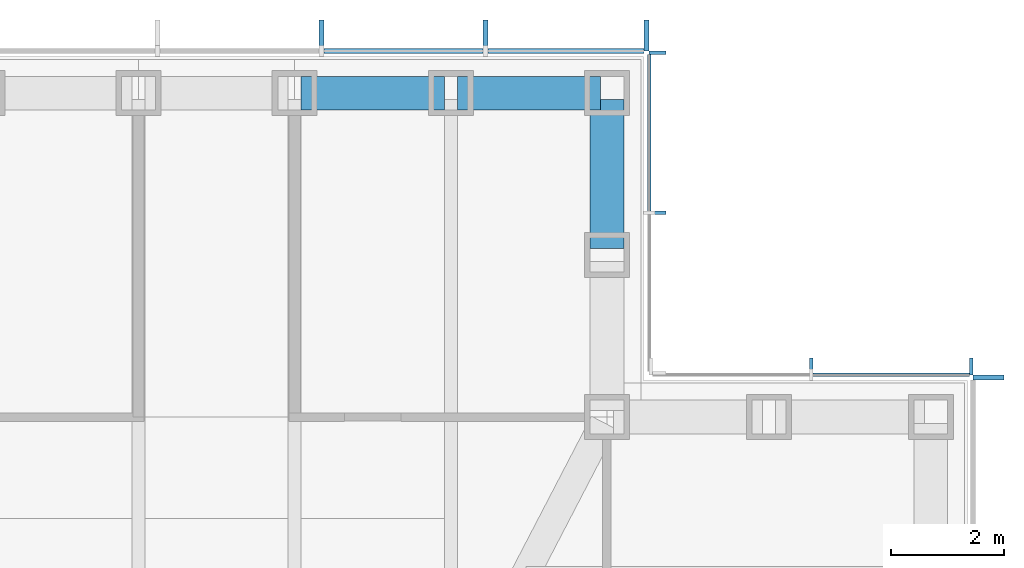
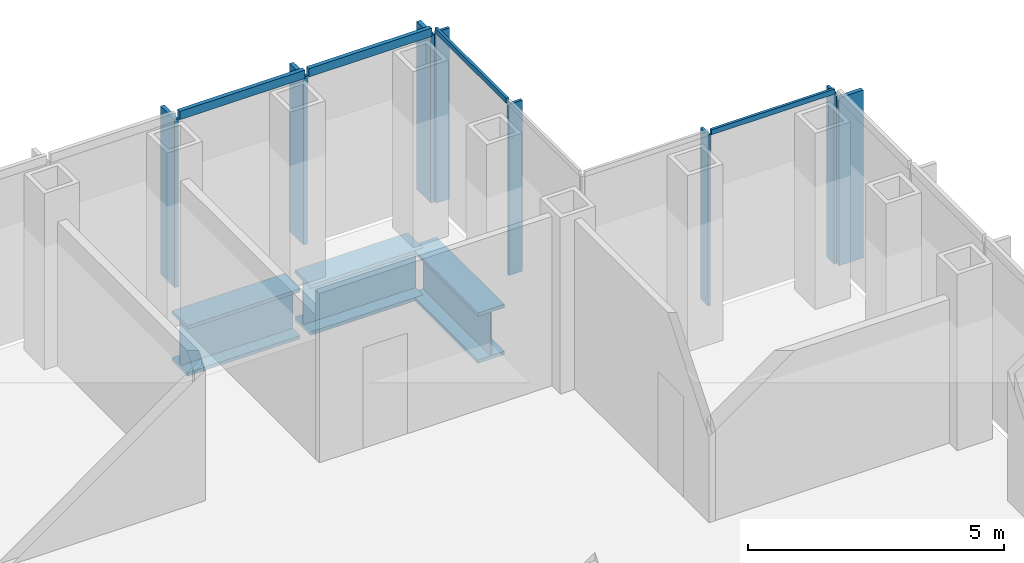
# One storey, part 6 of 16: 12 members, 3 beams, 4 elements without a shape of their own.
"""IFC4 building model written with IfcOpenShell, lengths in metres."""

from ifc_helpers import new_model, si_unit, direction, frame, origin, origin_2d, place, context, subcontext, project, spatial, rectangle, i_section, extrude, material, material_profile, profile_set, type_object, element, aggregate, save


model = new_model("IFC4")

# Units and contexts
model_context = context("Model", 3, precision=1e-05, world=origin(), true_north=direction((0.0, 1.0)))
body_context = subcontext(model_context, "Body", "Model", "MODEL_VIEW")
ifc_project = project(units=[si_unit("LENGTHUNIT", "METRE"), si_unit("AREAUNIT", "SQUARE_METRE"), si_unit("VOLUMEUNIT", "CUBIC_METRE"), si_unit("PLANEANGLEUNIT", "RADIAN"), si_unit("MASSUNIT", "GRAM", prefix="KILO")], contexts=[model_context])

# Site, building, storey
site_placement = place(None, origin())
site = spatial("IfcSite", under=ifc_project, at=site_placement, CompositionType="ELEMENT")
building_placement = place(site_placement, origin())
building = spatial("IfcBuilding", under=site, at=building_placement, Name="Daluyong Arena Tower", CompositionType="ELEMENT")
storey_placement = place(building_placement, frame((0.0, 0.0, 258.699951171875)))
storey = spatial("IfcBuildingStorey", under=building, at=storey_placement, Name="L58", CompositionType="ELEMENT", Elevation=258.699951171875)

# Curtain wall, member
ifc_material_1 = material(Name="Bronze anodised aluminium and glass", Category="aluminium")
curtain_wall_type_1 = type_object("IfcCurtainWallType", Name="Curtain wall CW4", PredefinedType="USERDEFINED", material=ifc_material_1)
curtain_wall_1_placement = place(storey_placement, origin())
curtain_wall_1 = element("IfcCurtainWall", 1, at=curtain_wall_1_placement, inside=storey, type_object=curtain_wall_type_1, Name="curtain wall L58 E", ObjectType="UNITISED CURTAIN WALL", PredefinedType="USERDEFINED")
ifc_material_2 = material(Name="Bronze anodised aluminium fin", Category="aluminium")
ifc_material_profile_1 = material_profile(ifc_material_2, rectangle(XDim=0.550048828125, YDim=0.090087890625, at=origin_2d()))
ifc_profile_set_1 = profile_set([ifc_material_profile_1], Name="Bronze anodised aluminium fin")
member_type_1 = type_object("IfcMemberType", Name="CW4 bronze fin 550x90", PredefinedType="MULLION", material=ifc_profile_set_1)
member_1_placement = place(storey_placement, frame((78.02490234375, 95.955078125, 0.0), z_axis=(0.0, 0.0, 1.0), x_axis=(-1.0, 0.0, 0.0)))
member_1 = element("IfcMember", 2, at=member_1_placement, type_object=member_type_1, Name="curtain wall L58 E fin 12", PredefinedType="MULLION", context=body_context, shape_type="SweptSolid", body=[
    extrude(rectangle(XDim=0.550048828125, YDim=0.090087890625, at=origin_2d()), origin(), (0.0, 0.0, 1.0), 4.0),
])
aggregate(curtain_wall_1, [member_1])

# Curtain wall, members
curtain_wall_2_placement = place(storey_placement, origin())
curtain_wall_2 = element("IfcCurtainWall", 3, at=curtain_wall_2_placement, inside=storey, type_object=curtain_wall_type_1, Name="curtain wall L58 N", ObjectType="UNITISED CURTAIN WALL", PredefinedType="USERDEFINED")
member_2_placement = place(storey_placement, frame((71.955078125, 102.02490234375, 0.0), z_axis=(0.0, 0.0, 1.0), x_axis=(0.0, -1.0, 0.0)))
member_2 = element("IfcMember", 4, at=member_2_placement, type_object=member_type_1, Name="curtain wall L58 N fin 1", PredefinedType="MULLION", context=body_context, shape_type="SweptSolid", body=[
    extrude(rectangle(XDim=0.550048828125, YDim=0.090087890625, at=origin_2d()), origin(), (0.0, 0.0, 1.0), 4.0),
])
member_3_placement = place(storey_placement, frame((69.0908203125, 102.02490234375, 0.0), z_axis=(0.0, 0.0, 1.0), x_axis=(0.0, -1.0, 0.0)))
member_3 = element("IfcMember", 5, at=member_3_placement, type_object=member_type_1, Name="curtain wall L58 N fin 2", PredefinedType="MULLION", context=body_context, shape_type="SweptSolid", body=[
    extrude(rectangle(XDim=0.550048828125, YDim=0.090087890625, at=origin_2d()), origin(), (0.0, 0.0, 1.0), 4.0),
])
member_4_placement = place(storey_placement, frame((66.181884765625, 102.02490234375, 0.0), z_axis=(0.0, 0.0, 1.0), x_axis=(0.0, -1.0, 0.0)))
member_4 = element("IfcMember", 6, at=member_4_placement, type_object=member_type_1, Name="curtain wall L58 N fin 3", PredefinedType="MULLION", context=body_context, shape_type="SweptSolid", body=[
    extrude(rectangle(XDim=0.550048828125, YDim=0.090087890625, at=origin_2d()), origin(), (0.0, 0.0, 1.0), 4.0),
])
ifc_material_3 = material(Name="Bronze anodised aluminium", Category="aluminium")
ifc_material_profile_2 = material_profile(ifc_material_3, rectangle(XDim=0.090087890625, YDim=0.199951171875, at=origin_2d()))
ifc_profile_set_2 = profile_set([ifc_material_profile_2], Name="Bronze anodised aluminium")
member_type_2 = type_object("IfcMemberType", Name="CW4 stack transom 200x90", PredefinedType="USERDEFINED", material=ifc_profile_set_2)
member_5_placement = place(storey_placement, frame((71.909912109375, 101.75, 4.10009765625), z_axis=(-1.0, 0.0, 0.0), x_axis=(0.0, -1.0, 0.0)))
member_5 = element("IfcMember", 7, at=member_5_placement, type_object=member_type_2, Name="curtain wall L58 N transom 1", ObjectType="TRANSOM", PredefinedType="USERDEFINED", context=body_context, shape_type="SweptSolid", body=[
    extrude(rectangle(XDim=0.090087890625, YDim=0.199951171875, at=origin_2d()), origin(), (0.0, 0.0, 1.0), 2.77392578125),
])
member_6_placement = place(storey_placement, frame((69.0458984375, 101.75, 4.10009765625), z_axis=(-1.0, 0.0, 0.0), x_axis=(0.0, -1.0, 0.0)))
member_6 = element("IfcMember", 8, at=member_6_placement, type_object=member_type_2, Name="curtain wall L58 N transom 2", ObjectType="TRANSOM", PredefinedType="USERDEFINED", context=body_context, shape_type="SweptSolid", body=[
    extrude(rectangle(XDim=0.090087890625, YDim=0.199951171875, at=origin_2d()), origin(), (0.0, 0.0, 1.0), 2.819091796875),
])
aggregate(curtain_wall_2, [member_2, member_3, member_4, member_5, member_6])

ifc_material_4 = material(Name="Bronze anodised aluminium and glass", Category="aluminium")
curtain_wall_type_2 = type_object("IfcCurtainWallType", Name="Curtain wall CW7", PredefinedType="USERDEFINED", material=ifc_material_4)
curtain_wall_3_placement = place(storey_placement, origin())
curtain_wall_3 = element("IfcCurtainWall", 9, at=curtain_wall_3_placement, inside=storey, type_object=curtain_wall_type_2, Name="curtain wall L58 NE-N", ObjectType="UNITISED CURTAIN WALL", PredefinedType="USERDEFINED")
ifc_material_5 = material(Name="Bronze anodised aluminium fin", Category="aluminium")
ifc_material_profile_3 = material_profile(ifc_material_5, rectangle(XDim=0.300048828125, YDim=0.06005859375, at=origin_2d()))
ifc_profile_set_3 = profile_set([ifc_material_profile_3], Name="Bronze anodised aluminium fin")
member_type_3 = type_object("IfcMemberType", Name="CW7 bronze fin 300x60", PredefinedType="MULLION", material=ifc_profile_set_3)
member_7_placement = place(storey_placement, frame((77.719970703125, 96.14990234375, 0.0), z_axis=(0.0, 0.0, 1.0), x_axis=(0.0, -1.0, 0.0)))
member_7 = element("IfcMember", 10, at=member_7_placement, type_object=member_type_3, Name="curtain wall L58 NE-N fin 1", PredefinedType="MULLION", context=body_context, shape_type="SweptSolid", body=[
    extrude(rectangle(XDim=0.300048828125, YDim=0.06005859375, at=origin_2d()), origin(), (0.0, 0.0, 1.0), 4.080078125),
])
member_8_placement = place(storey_placement, frame((74.875, 96.14990234375, 0.0), z_axis=(0.0, 0.0, 1.0), x_axis=(0.0, -1.0, 0.0)))
member_8 = element("IfcMember", 11, at=member_8_placement, type_object=member_type_3, Name="curtain wall L58 NE-N fin 2", PredefinedType="MULLION", context=body_context, shape_type="SweptSolid", body=[
    extrude(rectangle(XDim=0.300048828125, YDim=0.06005859375, at=origin_2d()), origin(), (0.0, 0.0, 1.0), 4.080078125),
])

curtain_wall_4_placement = place(storey_placement, origin())
curtain_wall_4 = element("IfcCurtainWall", 12, at=curtain_wall_4_placement, inside=storey, type_object=curtain_wall_type_2, Name="curtain wall L58 NE-E", ObjectType="UNITISED CURTAIN WALL", PredefinedType="USERDEFINED")
member_9_placement = place(storey_placement, frame((72.14990234375, 98.875, 0.0), z_axis=(0.0, 0.0, 1.0), x_axis=(-1.0, 0.0, 0.0)))
member_9 = element("IfcMember", 13, at=member_9_placement, type_object=member_type_3, Name="curtain wall L58 NE-E fin 2", PredefinedType="MULLION", context=body_context, shape_type="SweptSolid", body=[
    extrude(rectangle(XDim=0.300048828125, YDim=0.06005859375, at=origin_2d()), origin(), (0.0, 0.0, 1.0), 4.080078125),
])
member_10_placement = place(storey_placement, frame((72.14990234375, 101.719970703125, 0.0), z_axis=(0.0, 0.0, 1.0), x_axis=(-1.0, 0.0, 0.0)))
member_10 = element("IfcMember", 14, at=member_10_placement, type_object=member_type_3, Name="curtain wall L58 NE-E fin 3", PredefinedType="MULLION", context=body_context, shape_type="SweptSolid", body=[
    extrude(rectangle(XDim=0.300048828125, YDim=0.06005859375, at=origin_2d()), origin(), (0.0, 0.0, 1.0), 4.080078125),
])

# Member
ifc_material_6 = material(Name="Bronze anodised aluminium", Category="aluminium")
ifc_material_profile_4 = material_profile(ifc_material_6, rectangle(XDim=0.06005859375, YDim=0.1201171875, at=origin_2d()))
ifc_profile_set_4 = profile_set([ifc_material_profile_4], Name="Bronze anodised aluminium")
member_type_4 = type_object("IfcMemberType", Name="CW7 stack transom 120x60", PredefinedType="USERDEFINED", material=ifc_profile_set_4)
member_11_placement = place(storey_placement, frame((77.68994140625, 96.0, 4.14013671875), z_axis=(-1.0, 0.0, 0.0), x_axis=(0.0, -1.0, 0.0)))
member_11 = element("IfcMember", 15, at=member_11_placement, type_object=member_type_4, Name="curtain wall L58 NE-N transom 1", ObjectType="TRANSOM", PredefinedType="USERDEFINED", context=body_context, shape_type="SweptSolid", body=[
    extrude(rectangle(XDim=0.06005859375, YDim=0.1201171875, at=origin_2d()), origin(), (0.0, 0.0, 1.0), 2.784912109375),
])

aggregate(curtain_wall_3, [member_7, member_8, member_11])

member_12_placement = place(storey_placement, frame((72.0, 98.905029296875, 4.14013671875), z_axis=(0.0, 1.0, 0.0), x_axis=(-1.0, 0.0, 0.0)))
member_12 = element("IfcMember", 16, at=member_12_placement, type_object=member_type_4, Name="curtain wall L58 NE-E transom 2", ObjectType="TRANSOM", PredefinedType="USERDEFINED", context=body_context, shape_type="SweptSolid", body=[
    extrude(rectangle(XDim=0.06005859375, YDim=0.1201171875, at=origin_2d()), origin(), (0.0, 0.0, 1.0), 2.784912109375),
])

aggregate(curtain_wall_4, [member_9, member_10, member_12])

# Beams
ifc_material_7 = material(Name="Steel ASTM A572 Grade 50", Category="steel")
ifc_material_profile_5 = material_profile(ifc_material_7, i_section(OverallWidth=0.60009765625, OverallDepth=1.199951171875, WebThickness=0.03, FlangeThickness=0.08, at=origin_2d()))
ifc_profile_set_5 = profile_set([ifc_material_profile_5], Name="Steel ASTM A572 Grade 50")
beam_type = type_object("IfcBeamType", Name="Spandrel Z4 PG1200X600", PredefinedType="SPANDREL", material=ifc_profile_set_5)
beam_placement = place(storey_placement, frame((71.25, 98.239990234375, -0.760009765625), z_axis=(0.0, 1.0, 0.0), x_axis=(-1.0, 0.0, 0.0)))
element("IfcBeam", 17, at=beam_placement, inside=storey, type_object=beam_type, Name="spandrel z4 SB9", PredefinedType="SPANDREL", context=body_context, shape_type="SweptSolid", body=[
    extrude(i_section(OverallWidth=0.60009765625, OverallDepth=1.199951171875, WebThickness=0.03, FlangeThickness=0.08, at=origin_2d()), origin(), (0.0, 0.0, 1.0), 2.64501953125),
])
for number, where, z_axis, x_axis, name in (
    (18, (71.135009765625, 101.0, -0.760009765625), (-1.0, 0.0, 0.0), (0.0, -1.0, 0.0), "spandrel z4 SB9"),
    (19, (68.3623046875, 101.0, -0.760009765625), (-1.0, 0.0, 0.0), (0.0, -1.0, 0.0), "spandrel z4 SB9"),
):
    element("IfcBeam", number, at=place(storey_placement, frame(where, z_axis=z_axis, x_axis=x_axis)), inside=storey, type_object=beam_type, Name=name, PredefinedType="SPANDREL", context=body_context, shape_type="SweptSolid", body=[
        extrude(i_section(OverallWidth=0.60009765625, OverallDepth=1.199951171875, WebThickness=0.03, FlangeThickness=0.08, at=origin_2d()), origin(), (0.0, 0.0, 1.0), 2.542724609375),
    ])

save(model, "model.ifc")
